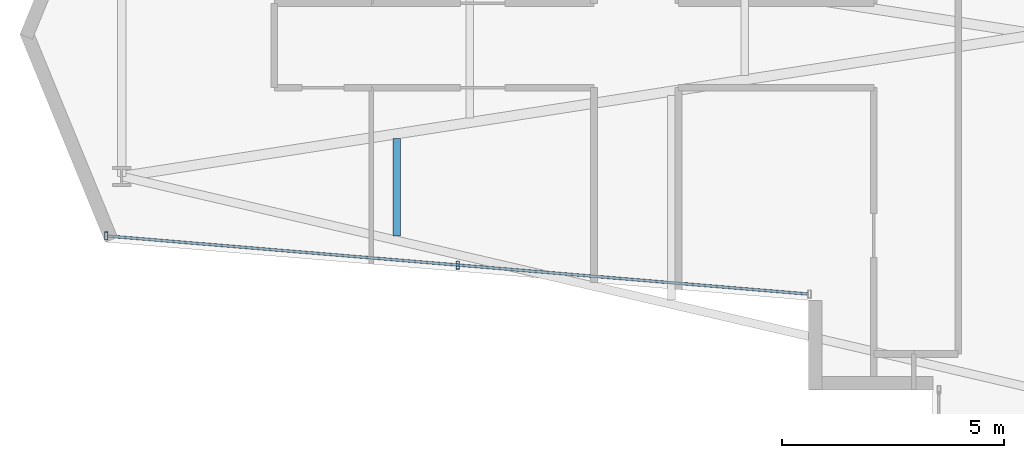
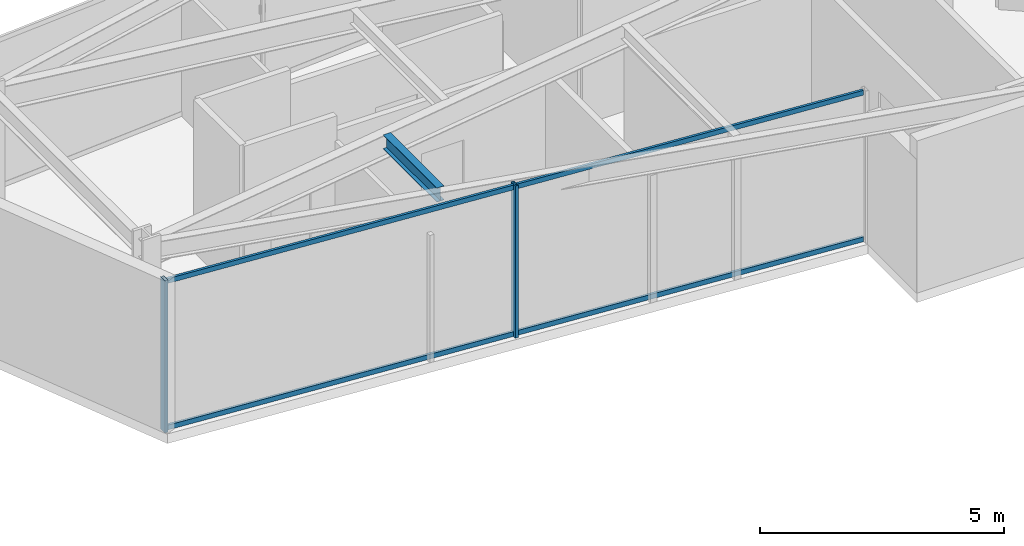
# One storey, part 2 of 25: 4 members, 1 beam, 1 element without a shape of its own.
"""IFC4 building model written with IfcOpenShell, lengths in metres."""

from ifc_helpers import new_model, si_unit, direction, frame, origin, origin_2d, place, context, subcontext, project, spatial, hollow_rectangle, i_section, extrude, material, layer, layer_set, material_profile, profile_set, type_object, element, aggregate, save


model = new_model("IFC4")

# Units and contexts
model_context = context("Model", 3, precision=1e-05, world=origin(), true_north=direction((0.0, 1.0)))
body_context = subcontext(model_context, "Body", "Model", "MODEL_VIEW")
ifc_project = project(units=[si_unit("LENGTHUNIT", "METRE"), si_unit("AREAUNIT", "SQUARE_METRE"), si_unit("VOLUMEUNIT", "CUBIC_METRE"), si_unit("PLANEANGLEUNIT", "RADIAN"), si_unit("MASSUNIT", "GRAM", prefix="KILO")], contexts=[model_context])

# Site, building, storey
site_placement = place(None, origin())
site = spatial("IfcSite", under=ifc_project, at=site_placement, CompositionType="ELEMENT")
building_placement = place(site_placement, origin())
building = spatial("IfcBuilding", under=site, at=building_placement, Name="Veymaron Broadcast Tower", CompositionType="ELEMENT")
storey_placement = place(building_placement, frame((0.0, 0.0, 116.85009765625)))
storey = spatial("IfcBuildingStorey", under=building, at=storey_placement, Name="L26", CompositionType="ELEMENT", Elevation=116.85009765625)

# Beam
ifc_material_1 = material(Name="Structural steel ASTM A992 Gr 50", Category="steel")
ifc_material_profile_1 = material_profile(ifc_material_1, i_section(OverallWidth=0.1708984375, OverallDepth=0.35498046875, WebThickness=0.007080078125, FlangeThickness=0.01171875, at=origin_2d()), Name="W360X51")
ifc_profile_set_1 = profile_set([ifc_material_profile_1], Name="Structural steel ASTM A992 Gr 50")
beam_type = type_object("IfcBeamType", Name="BM-JS2", PredefinedType="JOIST", material=ifc_profile_set_1)
beam_placement = place(storey_placement, frame((16.751953125, 19.4599609375, 3.63232421875), z_axis=(0.0, 1.0, 0.0), x_axis=(-1.0, 0.0, 0.0)))
element("IfcBeam", 1, at=beam_placement, inside=storey, type_object=beam_type, Name="L26 Arm-A secondary joist 1S", PredefinedType="JOIST", context=body_context, shape_type="SweptSolid", body=[
    extrude(i_section(OverallWidth=0.1708984375, OverallDepth=0.35498046875, WebThickness=0.007080078125, FlangeThickness=0.01171875, at=origin_2d()), origin(), (0.0, 0.0, 1.0), 2.199951171875),
])

# Curtain wall, members
ifc_material_2 = material(Name="Anodised aluminium AA 6063-T6 and laminated low-E dark glass", Category="aluminium")
ifc_layer = layer(ifc_material_2, 0.179931640625)
ifc_layer_set = layer_set([ifc_layer], Name="Anodised aluminium AA 6063-T6 and laminated low-E dark glass")
curtain_wall_type = type_object("IfcCurtainWallType", Name="CW-SYS-03", PredefinedType="NOTDEFINED", material=ifc_layer_set)
curtain_wall_placement = place(storey_placement, origin())
curtain_wall = element("IfcCurtainWall", 2, at=curtain_wall_placement, inside=storey, type_object=curtain_wall_type, Name="L26 dark-glass curtain wall CW-L26-E14-1", PredefinedType="NOTDEFINED")
ifc_material_3 = material(Name="Anodised aluminium AA 6063-T6", Category="aluminium")
ifc_material_profile_2 = material_profile(ifc_material_3, hollow_rectangle(XDim=0.074951171875, YDim=0.179931640625, WallThickness=0.0048828125, at=origin_2d()), Name="AL180X75X5")
ifc_profile_set_2 = profile_set([ifc_material_profile_2], Name="Anodised aluminium AA 6063-T6")
member_type_1 = type_object("IfcMemberType", Name="CW-MUL-02", PredefinedType="MULLION", material=ifc_profile_set_2)
member_1_placement = place(storey_placement, frame((10.211669921875, 19.4609375, 0.0), z_axis=(0.0, 0.0, 1.0), x_axis=(1.0, 0.0, 0.0)))
member_1 = element("IfcMember", 3, at=member_1_placement, type_object=member_type_1, Name="CW-L26-E14-1 mullion 0", PredefinedType="MULLION", context=body_context, shape_type="SweptSolid", body=[
    extrude(hollow_rectangle(XDim=0.074951171875, YDim=0.179931640625, WallThickness=0.0048828125, at=origin_2d()), origin(), (0.0, 0.0, 1.0), 3.809814453125),
])
member_2_placement = place(storey_placement, frame((18.131591796875, 18.804931640625, 0.0), z_axis=(0.0, 0.0, 1.0), x_axis=(1.0, 0.0, 0.0)))
member_2 = element("IfcMember", 4, at=member_2_placement, type_object=member_type_1, Name="CW-L26-E14-1 mullion 1", PredefinedType="MULLION", context=body_context, shape_type="SweptSolid", body=[
    extrude(hollow_rectangle(XDim=0.074951171875, YDim=0.179931640625, WallThickness=0.0048828125, at=origin_2d()), origin(), (0.0, 0.0, 1.0), 3.809814453125),
])
ifc_material_profile_3 = material_profile(ifc_material_3, hollow_rectangle(XDim=0.06005859375, YDim=0.1201171875, WallThickness=0.00390625, at=origin_2d()), Name="AL120X60X4")
ifc_profile_set_3 = profile_set([ifc_material_profile_3], Name="Anodised aluminium AA 6063-T6")
member_type_2 = type_object("IfcMemberType", Name="CW-TRN-02", PredefinedType="USERDEFINED", material=ifc_profile_set_3)
member_3_placement = place(storey_placement, frame((10.261474609375, 19.456787109375, 0.06982421875), z_axis=(0.996588692575, -0.082528648555, 0.0), x_axis=(0.082528648555, 0.996588692575, 0.0)))
member_3 = element("IfcMember", 5, at=member_3_placement, type_object=member_type_2, Name="CW-L26-E14-1 transom B", ObjectType="TRANSOM", PredefinedType="USERDEFINED", context=body_context, shape_type="SweptSolid", body=[
    extrude(hollow_rectangle(XDim=0.06005859375, YDim=0.1201171875, WallThickness=0.00390625, at=origin_2d()), origin(), (0.0, 0.0, 1.0), 15.794189453125),
])
member_4_placement = place(storey_placement, frame((10.261474609375, 19.456787109375, 3.739990234375), z_axis=(0.996588692575, -0.082528648555, 0.0), x_axis=(0.082528648555, 0.996588692575, 0.0)))
member_4 = element("IfcMember", 6, at=member_4_placement, type_object=member_type_2, Name="CW-L26-E14-1 transom T", ObjectType="TRANSOM", PredefinedType="USERDEFINED", context=body_context, shape_type="SweptSolid", body=[
    extrude(hollow_rectangle(XDim=0.06005859375, YDim=0.1201171875, WallThickness=0.00390625, at=origin_2d()), origin(), (0.0, 0.0, 1.0), 15.794189453125),
])
aggregate(curtain_wall, [member_1, member_2, member_3, member_4])

save(model, "model.ifc")
